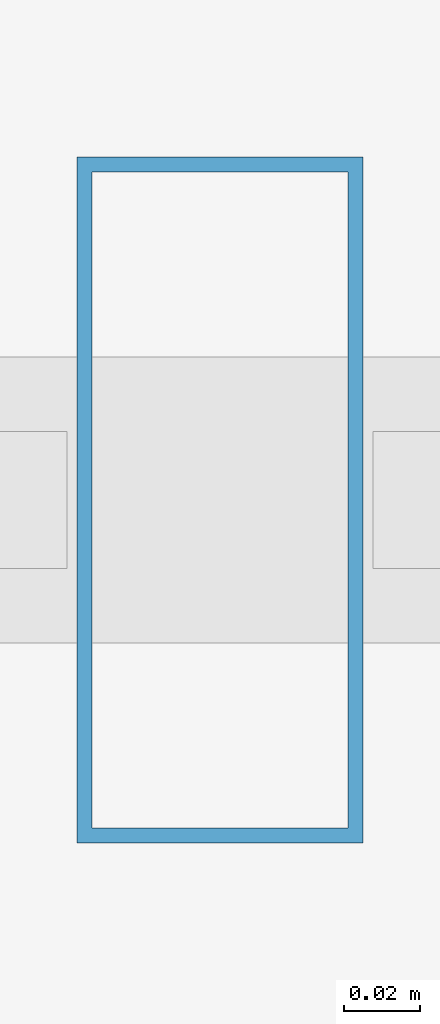
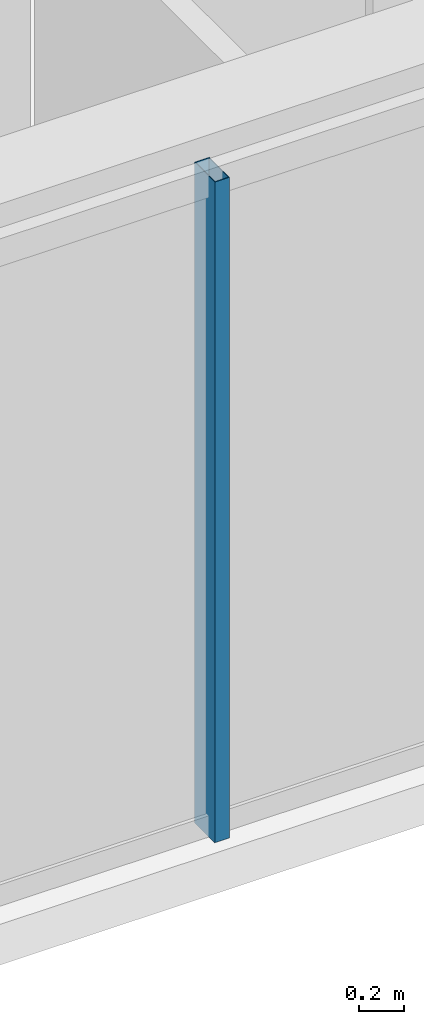
# One storey, part 11 of 32: 1 member, 1 element without a shape of its own.
"""IFC4 building model written with IfcOpenShell, lengths in metres."""

from ifc_helpers import new_model, si_unit, direction, frame, origin, origin_2d, place, context, subcontext, project, spatial, hollow_rectangle, extrude, material, layer, layer_set, material_profile, profile_set, type_object, element, aggregate, save


model = new_model("IFC4")

# Units and contexts
model_context = context("Model", 3, precision=1e-05, world=origin(), true_north=direction((0.0, 1.0)))
body_context = subcontext(model_context, "Body", "Model", "MODEL_VIEW")
ifc_project = project(units=[si_unit("LENGTHUNIT", "METRE"), si_unit("AREAUNIT", "SQUARE_METRE"), si_unit("VOLUMEUNIT", "CUBIC_METRE"), si_unit("PLANEANGLEUNIT", "RADIAN"), si_unit("MASSUNIT", "GRAM", prefix="KILO")], contexts=[model_context])

# Site, building, storey
site_placement = place(None, origin())
site = spatial("IfcSite", under=ifc_project, at=site_placement, CompositionType="ELEMENT")
building_placement = place(site_placement, origin())
building = spatial("IfcBuilding", under=site, at=building_placement, Name="Ndaravel Arena Tower", CompositionType="ELEMENT")
storey_placement = place(building_placement, frame((0.0, 0.0, 96.800048828125)))
storey = spatial("IfcBuildingStorey", under=building, at=storey_placement, Name="L22", CompositionType="ELEMENT", Elevation=96.800048828125)

# Curtain wall, member
ifc_material_1 = material(Name="Aluminium", Category="aluminium")
ifc_layer = layer(ifc_material_1, 0.179931640625)
ifc_layer_set = layer_set([ifc_layer], Name="Aluminium")
curtain_wall_type = type_object("IfcCurtainWallType", Name="CW-SYS-03", PredefinedType="NOTDEFINED", material=ifc_layer_set)
curtain_wall_placement = place(storey_placement, origin())
curtain_wall = element("IfcCurtainWall", 1, at=curtain_wall_placement, inside=storey, type_object=curtain_wall_type, Name="L22 Faceted Crystal Curtain Wall CW-L22-E01", PredefinedType="NOTDEFINED")
ifc_material_2 = material(Name="Aluminium", Category="aluminium")
ifc_material_profile = material_profile(ifc_material_2, hollow_rectangle(XDim=0.074951171875, YDim=0.179931640625, WallThickness=0.00390625, at=origin_2d()), Name="CW MULLION 75x180x4")
ifc_profile_set = profile_set([ifc_material_profile], Name="Aluminium")
member_type = type_object("IfcMemberType", Name="MEM-CW-MUL180", PredefinedType="MULLION", material=ifc_profile_set)
member_placement = place(storey_placement, frame((50.30615234375, 5.159912109375, 0.0), z_axis=(0.0, 0.0, 1.0), x_axis=(1.0, 0.0, 0.0)))
member = element("IfcMember", 2, at=member_placement, type_object=member_type, Name="CW-L22-E01 Mullion 06", PredefinedType="MULLION", context=body_context, shape_type="SweptSolid", body=[
    extrude(hollow_rectangle(XDim=0.074951171875, YDim=0.179931640625, WallThickness=0.00390625, at=origin_2d()), origin(), (0.0, 0.0, 1.0), 3.579833984375),
])
aggregate(curtain_wall, [member])

save(model, "model.ifc")
